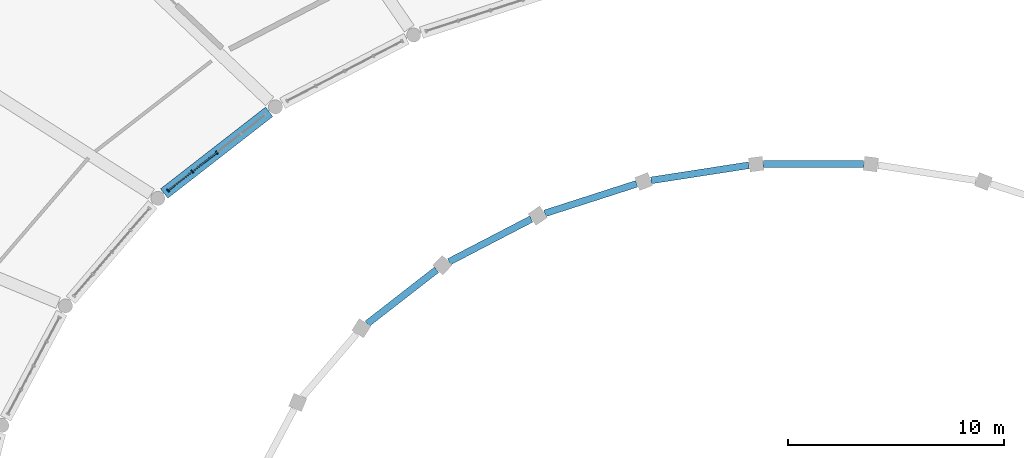
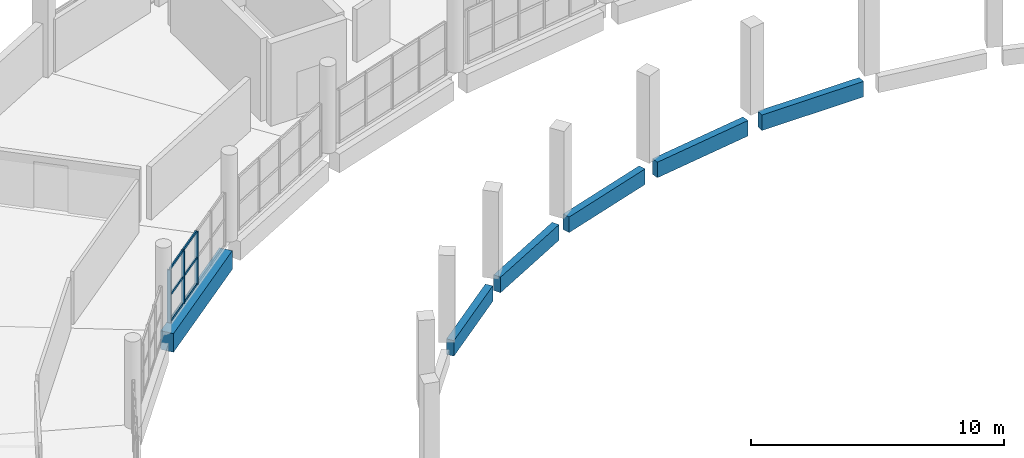
# One storey, part 19 of 142: 9 members, 6 beams, 1 element without a shape of its own.
"""IFC4 building model written with IfcOpenShell, lengths in metres."""

from ifc_helpers import new_model, si_unit, direction, frame, origin, origin_2d, place, context, subcontext, project, spatial, rectangle, extrude, material, layer, layer_set, material_profile, profile_set, type_object, element, aggregate, save


model = new_model("IFC4")

# Units and contexts
model_context = context("Model", 3, precision=1e-05, world=origin(), true_north=direction((0.0, 1.0)))
body_context = subcontext(model_context, "Body", "Model", "MODEL_VIEW")
ifc_project = project(units=[si_unit("LENGTHUNIT", "METRE"), si_unit("AREAUNIT", "SQUARE_METRE"), si_unit("VOLUMEUNIT", "CUBIC_METRE"), si_unit("PLANEANGLEUNIT", "RADIAN"), si_unit("MASSUNIT", "GRAM", prefix="KILO")], contexts=[model_context])

# Site, building, storey
site_placement = place(None, origin())
site = spatial("IfcSite", under=ifc_project, at=site_placement, CompositionType="ELEMENT")
building_placement = place(site_placement, origin())
building = spatial("IfcBuilding", under=site, at=building_placement, Name="Corvandel Quay Wholesale Market", CompositionType="ELEMENT")
storey_placement = place(building_placement, frame((0.0, 0.0, 10.800048828125)))
storey = spatial("IfcBuildingStorey", under=building, at=storey_placement, Name="L02", CompositionType="ELEMENT", Elevation=10.800048828125)

# Curtain wall, members
ifc_material_1 = material(Name="Bronze anodised aluminium and low-E insulated glazing", Category="aluminium")
ifc_layer = layer(ifc_material_1, 0.14990234375)
ifc_layer_set = layer_set([ifc_layer], Name="Bronze anodised aluminium and low-E insulated glazing")
curtain_wall_type = type_object("IfcCurtainWallType", Name="Stick Curtain Wall System CW05 H3450", PredefinedType="NOTDEFINED", material=ifc_layer_set)
curtain_wall_placement = place(storey_placement, origin())
curtain_wall = element("IfcCurtainWall", 1, at=curtain_wall_placement, inside=storey, type_object=curtain_wall_type, Name="Curtain Wall CW-0035", PredefinedType="NOTDEFINED")
ifc_material_2 = material(Name="Anodised aluminium 6063-T6", Category="aluminium")
ifc_material_profile_1 = material_profile(ifc_material_2, rectangle(XDim=0.06494140625, YDim=0.14990234375, at=origin_2d()), Name="ALU-MUL-65x150")
ifc_profile_set_1 = profile_set([ifc_material_profile_1], Name="Anodised aluminium 6063-T6")
member_type_1 = type_object("IfcMemberType", Name="Curtain Wall Mullion ML02 65x150", PredefinedType="MULLION", material=ifc_profile_set_1)
member_1_placement = place(storey_placement, frame((86.31640625, 63.531494140625, 0.0), z_axis=(0.0, 0.0, 1.0), x_axis=(0.789405615633, 0.613871952452, 0.0)))
member_1 = element("IfcMember", 2, at=member_1_placement, type_object=member_type_1, Name="Mullion CW-0035-M02", PredefinedType="MULLION", context=body_context, shape_type="SweptSolid", body=[
    extrude(rectangle(XDim=0.06494140625, YDim=0.14990234375, at=origin_2d()), origin(), (0.0, 0.0, 1.0), 2.550048828125),
])
member_2_placement = place(storey_placement, frame((85.18994140625, 62.655517578125, 0.0), z_axis=(0.0, 0.0, 1.0), x_axis=(0.789405615633, 0.613871952452, 0.0)))
member_2 = element("IfcMember", 3, at=member_2_placement, type_object=member_type_1, Name="Mullion CW-0035-M03", PredefinedType="MULLION", context=body_context, shape_type="SweptSolid", body=[
    extrude(rectangle(XDim=0.06494140625, YDim=0.14990234375, at=origin_2d()), origin(), (0.0, 0.0, 1.0), 2.550048828125),
])
member_3_placement = place(storey_placement, frame((84.063720703125, 61.779296875, 0.0), z_axis=(0.0, 0.0, 1.0), x_axis=(0.789405615633, 0.613871952452, 0.0)))
member_3 = element("IfcMember", 4, at=member_3_placement, type_object=member_type_1, Name="Mullion CW-0035-M04", PredefinedType="MULLION", context=body_context, shape_type="SweptSolid", body=[
    extrude(rectangle(XDim=0.06494140625, YDim=0.14990234375, at=origin_2d()), origin(), (0.0, 0.0, 1.0), 2.550048828125),
])
ifc_material_profile_2 = material_profile(ifc_material_2, rectangle(XDim=0.06005859375, YDim=0.110107421875, at=origin_2d()), Name="ALU-TRN-60x110")
ifc_profile_set_2 = profile_set([ifc_material_profile_2], Name="Anodised aluminium 6063-T6")
member_type_2 = type_object("IfcMemberType", Name="Curtain Wall Transom TR02 60x110", PredefinedType="USERDEFINED", material=ifc_profile_set_2)
member_4_placement = place(storey_placement, frame((86.290771484375, 63.511474609375, 0.0), z_axis=(-0.789313604412, -0.613990255533, 0.0), x_axis=(0.613990255533, -0.789313604412, 0.0)))
member_4 = element("IfcMember", 5, at=member_4_placement, type_object=member_type_2, Name="Transom CW-0035-T02-0", ObjectType="TRANSOM", PredefinedType="USERDEFINED", context=body_context, shape_type="SweptSolid", body=[
    extrude(rectangle(XDim=0.06005859375, YDim=0.110107421875, at=origin_2d()), origin(), (0.0, 0.0, 1.0), 1.36181640625),
])
member_5_placement = place(storey_placement, frame((86.290771484375, 63.511474609375, 1.27490234375), z_axis=(-0.789313604412, -0.613990255533, 0.0), x_axis=(0.613990255533, -0.789313604412, 0.0)))
member_5 = element("IfcMember", 6, at=member_5_placement, type_object=member_type_2, Name="Transom CW-0035-T02-1", ObjectType="TRANSOM", PredefinedType="USERDEFINED", context=body_context, shape_type="SweptSolid", body=[
    extrude(rectangle(XDim=0.06005859375, YDim=0.110107421875, at=origin_2d()), origin(), (0.0, 0.0, 1.0), 1.36181640625),
])
member_6_placement = place(storey_placement, frame((86.290771484375, 63.511474609375, 2.550048828125), z_axis=(-0.789313604412, -0.613990255533, 0.0), x_axis=(0.613990255533, -0.789313604412, 0.0)))
member_6 = element("IfcMember", 7, at=member_6_placement, type_object=member_type_2, Name="Transom CW-0035-T02-2", ObjectType="TRANSOM", PredefinedType="USERDEFINED", context=body_context, shape_type="SweptSolid", body=[
    extrude(rectangle(XDim=0.06005859375, YDim=0.110107421875, at=origin_2d()), origin(), (0.0, 0.0, 1.0), 1.36181640625),
])
member_7_placement = place(storey_placement, frame((85.164306640625, 62.635498046875, 0.0), z_axis=(-0.789313604412, -0.613990255533, 0.0), x_axis=(0.613990255533, -0.789313604412, 0.0)))
member_7 = element("IfcMember", 8, at=member_7_placement, type_object=member_type_2, Name="Transom CW-0035-T03-0", ObjectType="TRANSOM", PredefinedType="USERDEFINED", context=body_context, shape_type="SweptSolid", body=[
    extrude(rectangle(XDim=0.06005859375, YDim=0.110107421875, at=origin_2d()), origin(), (0.0, 0.0, 1.0), 1.36181640625),
])
member_8_placement = place(storey_placement, frame((85.164306640625, 62.635498046875, 1.27490234375), z_axis=(-0.789313604412, -0.613990255533, 0.0), x_axis=(0.613990255533, -0.789313604412, 0.0)))
member_8 = element("IfcMember", 9, at=member_8_placement, type_object=member_type_2, Name="Transom CW-0035-T03-1", ObjectType="TRANSOM", PredefinedType="USERDEFINED", context=body_context, shape_type="SweptSolid", body=[
    extrude(rectangle(XDim=0.06005859375, YDim=0.110107421875, at=origin_2d()), origin(), (0.0, 0.0, 1.0), 1.36181640625),
])
member_9_placement = place(storey_placement, frame((85.164306640625, 62.635498046875, 2.550048828125), z_axis=(-0.789313604412, -0.613990255533, 0.0), x_axis=(0.613990255533, -0.789313604412, 0.0)))
member_9 = element("IfcMember", 10, at=member_9_placement, type_object=member_type_2, Name="Transom CW-0035-T03-2", ObjectType="TRANSOM", PredefinedType="USERDEFINED", context=body_context, shape_type="SweptSolid", body=[
    extrude(rectangle(XDim=0.06005859375, YDim=0.110107421875, at=origin_2d()), origin(), (0.0, 0.0, 1.0), 1.36181640625),
])
aggregate(curtain_wall, [member_1, member_2, member_3, member_4, member_5, member_6, member_7, member_8, member_9])

# Beams
ifc_material_3 = material(Name="Precast concrete C45/55", Category="concrete")
ifc_material_profile_3 = material_profile(ifc_material_3, rectangle(XDim=0.320068359375, YDim=0.75, at=origin_2d()), Name="PC-SPN-320x750")
ifc_profile_set_3 = profile_set([ifc_material_profile_3], Name="Precast concrete C45/55")
beam_type_1 = type_object("IfcBeamType", Name="Pavilion Precast Spandrel SP02 320x750", PredefinedType="SPANDREL", material=ifc_profile_set_3)
beam_1_placement = place(storey_placement, frame((116.31396484375, 63.0, -0.695068359375), z_axis=(-1.0, 0.0, 0.0), x_axis=(0.0, -1.0, 0.0)))
element("IfcBeam", 11, at=beam_1_placement, inside=storey, type_object=beam_type_1, Name="Beam BM-0098", PredefinedType="SPANDREL", context=body_context, shape_type="SweptSolid", body=[
    extrude(rectangle(XDim=0.320068359375, YDim=0.75, at=origin_2d()), origin(), (0.0, 0.0, 1.0), 4.6279296875),
])
beam_2_placement = place(storey_placement, frame((111.0, 62.947265625, -0.695068359375), z_axis=(-0.988242185176, -0.152896642991, 0.0), x_axis=(0.152896642991, -0.988242185176, 0.0)))
element("IfcBeam", 12, at=beam_2_placement, inside=storey, type_object=beam_type_1, Name="Beam BM-0110", PredefinedType="SPANDREL", context=body_context, shape_type="SweptSolid", body=[
    extrude(rectangle(XDim=0.320068359375, YDim=0.75, at=origin_2d()), origin(), (0.0, 0.0, 1.0), 4.589111328125),
])
beam_3_placement = place(storey_placement, frame((105.795654296875, 62.087158203125, -0.695068359375), z_axis=(-0.951818159788, -0.306662992057, 0.0), x_axis=(0.306662992057, -0.951818159788, 0.0)))
element("IfcBeam", 13, at=beam_3_placement, inside=storey, type_object=beam_type_1, Name="Beam BM-0122", PredefinedType="SPANDREL", context=body_context, shape_type="SweptSolid", body=[
    extrude(rectangle(XDim=0.320068359375, YDim=0.75, at=origin_2d()), origin(), (0.0, 0.0, 1.0), 4.471923828125),
])
beam_4_placement = place(storey_placement, frame((100.90478515625, 60.450927734375, -0.695068359375), z_axis=(-0.887335015859, -0.461125329634, 0.0), x_axis=(0.461125329634, -0.887335015859, 0.0)))
element("IfcBeam", 14, at=beam_4_placement, inside=storey, type_object=beam_type_1, Name="Beam BM-0135", PredefinedType="SPANDREL", context=body_context, shape_type="SweptSolid", body=[
    extrude(rectangle(XDim=0.320068359375, YDim=0.75, at=origin_2d()), origin(), (0.0, 0.0, 1.0), 4.293212890625),
])
beam_5_placement = place(storey_placement, frame((96.5166015625, 58.10009765625, -0.695068359375), z_axis=(-0.789394159963, -0.61388668353, 0.0), x_axis=(0.61388668353, -0.789394159963, 0.0)))
element("IfcBeam", 15, at=beam_5_placement, inside=storey, type_object=beam_type_1, Name="Beam BM-0148", PredefinedType="SPANDREL", context=body_context, shape_type="SweptSolid", body=[
    extrude(rectangle(XDim=0.320068359375, YDim=0.75, at=origin_2d()), origin(), (0.0, 0.0, 1.0), 4.074462890625),
])
ifc_material_profile_4 = material_profile(ifc_material_3, rectangle(XDim=0.550048828125, YDim=0.89990234375, at=origin_2d()), Name="PC-GIR-550x900")
ifc_profile_set_4 = profile_set([ifc_material_profile_4], Name="Precast concrete C45/55")
beam_type_2 = type_object("IfcBeamType", Name="Produce Hall Radial Girder G03 550x900", PredefinedType="USERDEFINED", material=ifc_profile_set_4)
beam_6_placement = place(storey_placement, frame((88.7509765625, 65.4248046875, -0.77001953125), z_axis=(-0.789375661281, -0.613910470164, 0.0), x_axis=(0.613910470164, -0.789375661281, 0.0)))
element("IfcBeam", 16, at=beam_6_placement, inside=storey, type_object=beam_type_2, Name="Beam BM-0147", ObjectType="GIRDER", PredefinedType="USERDEFINED", context=body_context, shape_type="SweptSolid", body=[
    extrude(rectangle(XDim=0.550048828125, YDim=0.89990234375, at=origin_2d()), origin(), (0.0, 0.0, 1.0), 6.16796875),
])

save(model, "model.ifc")
